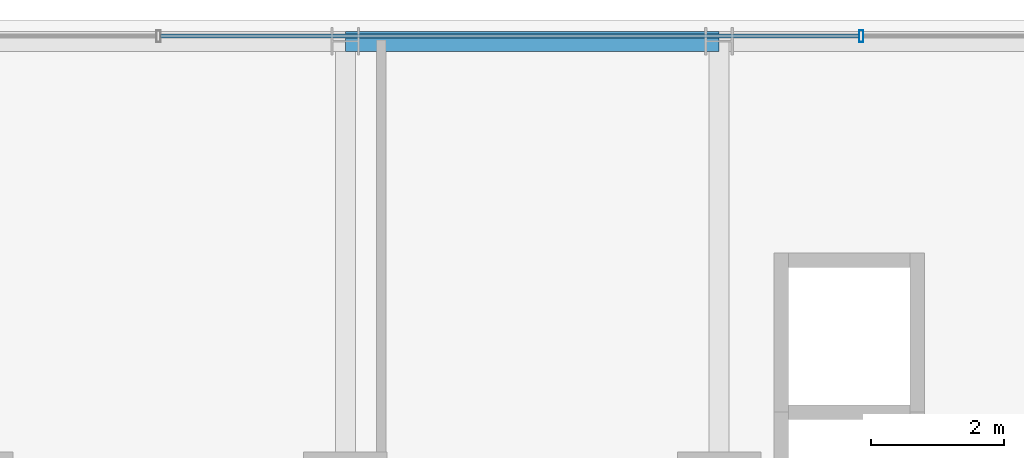
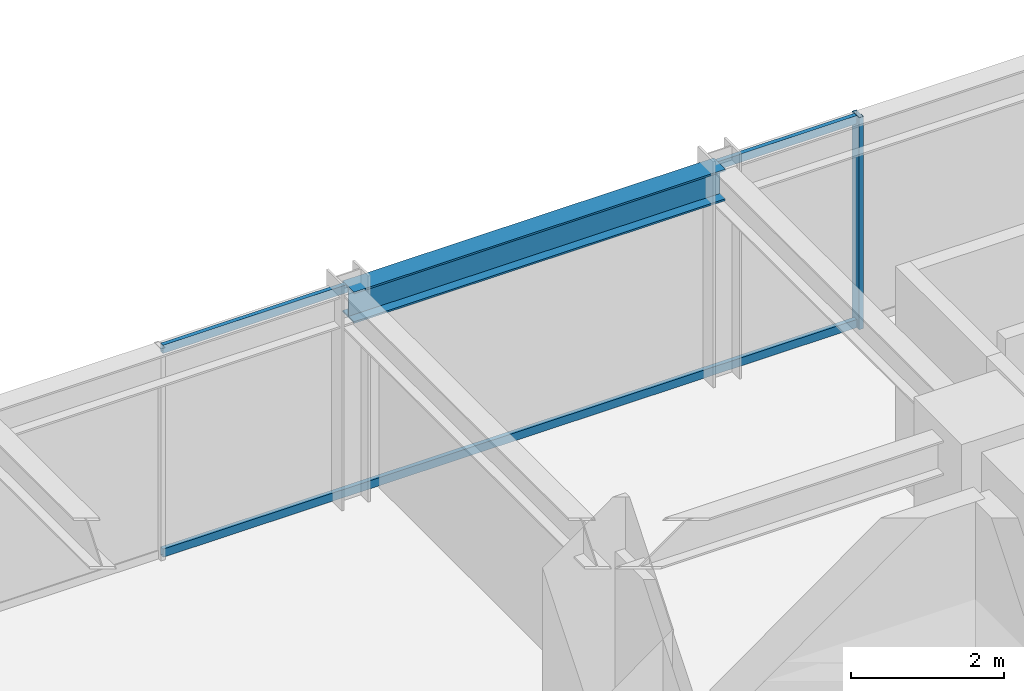
# One storey, part 23 of 32: 3 members, 1 beam, 1 element without a shape of its own.
"""IFC4 building model written with IfcOpenShell, lengths in metres."""

from ifc_helpers import new_model, si_unit, direction, frame, origin, origin_2d, place, context, subcontext, project, spatial, hollow_rectangle, i_section, extrude, source, transform, mapped, material, material_profile, profile_set, type_object, element, aggregate, save


model = new_model("IFC4")

# Units and contexts
model_context = context("Model", 3, precision=1e-05, world=origin(), true_north=direction((0.0, 1.0)))
body_context = subcontext(model_context, "Body", "Model", "MODEL_VIEW")
ifc_project = project(units=[si_unit("LENGTHUNIT", "METRE"), si_unit("AREAUNIT", "SQUARE_METRE"), si_unit("VOLUMEUNIT", "CUBIC_METRE"), si_unit("PLANEANGLEUNIT", "RADIAN"), si_unit("MASSUNIT", "GRAM", prefix="KILO")], contexts=[model_context])

# Site, building, storey
site_placement = place(None, origin())
site = spatial("IfcSite", under=ifc_project, at=site_placement, CompositionType="ELEMENT")
building_placement = place(site_placement, origin())
building = spatial("IfcBuilding", under=site, at=building_placement, Name="Nahalor Promenade Grand Hotel", CompositionType="ELEMENT")
storey_placement = place(building_placement, frame((0.0, 0.0, 110.199951171875)))
storey = spatial("IfcBuildingStorey", under=building, at=storey_placement, Name="L27", CompositionType="ELEMENT", Elevation=110.199951171875)

# Beam
ifc_material_1 = material(Name="Steel S355JR", Category="steel")
ifc_material_profile_1 = material_profile(ifc_material_1, i_section(OverallWidth=0.3, OverallDepth=0.5, WebThickness=0.0145, FlangeThickness=0.028, at=origin_2d()), Name="HEB 500")
ifc_profile_set_1 = profile_set([ifc_material_profile_1], Name="Steel S355JR")
beam_type = type_object("IfcBeamType", Name="Beam-Spandrel-HEB500", PredefinedType="SPANDREL", material=ifc_profile_set_1)
shared_shape_1 = source(origin(), body_context, "Body", "SweptSolid", [
    extrude(i_section(OverallWidth=0.3, OverallDepth=0.5, WebThickness=0.0145, FlangeThickness=0.028, at=origin_2d()), origin(), (0.0, 0.0, 1.0), 5.599853515625),
])
beam_placement = place(storey_placement, frame((2.800048828125, 23.780029296875, 3.130126953125), z_axis=(1.0, 0.0, 0.0), x_axis=(0.0, 1.0, 0.0)))
element("IfcBeam", 1, at=beam_placement, inside=storey, type_object=beam_type, Name="BM-L27-SP-N-3", PredefinedType="SPANDREL", context=body_context, shape_type="MappedRepresentation", body=[
    mapped(shared_shape_1, transform((0.0, 0.0, 0.0), scale=1.0)),
])

# Curtain wall, members
ifc_material_2 = material(Name="Anodised Bronze Aluminium EN AW-6063 T6", Category="aluminium")
curtain_wall_type = type_object("IfcCurtainWallType", Name="CW2 Typical Hotel Flush Bronze Unitised Curtain Wall", PredefinedType="USERDEFINED", material=ifc_material_2)
curtain_wall_placement = place(storey_placement, origin())
curtain_wall = element("IfcCurtainWall", 2, at=curtain_wall_placement, inside=storey, type_object=curtain_wall_type, Name="L27 Curtain Wall CW-L27-N-1", ObjectType="UNITISED_CURTAIN_WALL", PredefinedType="USERDEFINED")
ifc_material_profile_2 = material_profile(ifc_material_2, hollow_rectangle(XDim=0.065, YDim=0.13, WallThickness=0.004, at=origin_2d()), Name="CWT 65x130x4")
ifc_profile_set_2 = profile_set([ifc_material_profile_2], Name="Anodised Bronze Aluminium EN AW-6063 T6")
member_type_1 = type_object("IfcMemberType", Name="CWT2 Typical Bronze Transom 65x130", PredefinedType="USERDEFINED", material=ifc_profile_set_2)
shared_shape_2 = source(origin(), body_context, "Body", "SweptSolid", [
    extrude(hollow_rectangle(XDim=0.065, YDim=0.13, WallThickness=0.004, at=origin_2d()), origin(), (0.0, 0.0, 1.0), 10.465087890625),
])
member_1_placement = place(storey_placement, frame((0.032470703125, 23.860107421875, 0.06494140625), z_axis=(1.0, 0.0, 0.0), x_axis=(0.0, 1.0, 0.0)))
member_1 = element("IfcMember", 3, at=member_1_placement, type_object=member_type_1, Name="CW-L27-N-1 Transom 2-0", ObjectType="TRANSOM", PredefinedType="USERDEFINED", context=body_context, shape_type="MappedRepresentation", body=[
    mapped(shared_shape_2, transform((0.0, 0.0, 0.0), scale=1.0)),
])
member_2_placement = place(storey_placement, frame((0.032470703125, 23.860107421875, 3.31494140625), z_axis=(1.0, 0.0, 0.0), x_axis=(0.0, 1.0, 0.0)))
member_2 = element("IfcMember", 4, at=member_2_placement, type_object=member_type_1, Name="CW-L27-N-1 Transom 2-1", ObjectType="TRANSOM", PredefinedType="USERDEFINED", context=body_context, shape_type="MappedRepresentation", body=[
    mapped(shared_shape_2, transform((0.0, 0.0, 0.0), scale=1.0)),
])
ifc_material_profile_3 = material_profile(ifc_material_2, hollow_rectangle(XDim=0.065, YDim=0.18, WallThickness=0.004, at=origin_2d()), Name="CWM 65x180x4")
ifc_profile_set_3 = profile_set([ifc_material_profile_3], Name="Anodised Bronze Aluminium EN AW-6063 T6")
member_type_2 = type_object("IfcMemberType", Name="CWM2 Typical Bronze Mullion 65x180", PredefinedType="MULLION", material=ifc_profile_set_3)
shared_shape_3 = source(origin(), body_context, "Body", "SweptSolid", [
    extrude(hollow_rectangle(XDim=0.065, YDim=0.18, WallThickness=0.004, at=origin_2d()), origin(), (0.0, 0.0, 1.0), 3.380126953125),
])
member_3_placement = place(storey_placement, frame((10.530029296875, 23.860107421875, 0.0), z_axis=(0.0, 0.0, 1.0), x_axis=(1.0, 0.0, 0.0)))
member_3 = element("IfcMember", 5, at=member_3_placement, type_object=member_type_2, Name="CW-L27-N-1 Mullion 3", PredefinedType="MULLION", context=body_context, shape_type="MappedRepresentation", body=[
    mapped(shared_shape_3, transform((0.0, 0.0, 0.0), scale=1.0)),
])
aggregate(curtain_wall, [member_3, member_1, member_2])

save(model, "model.ifc")
